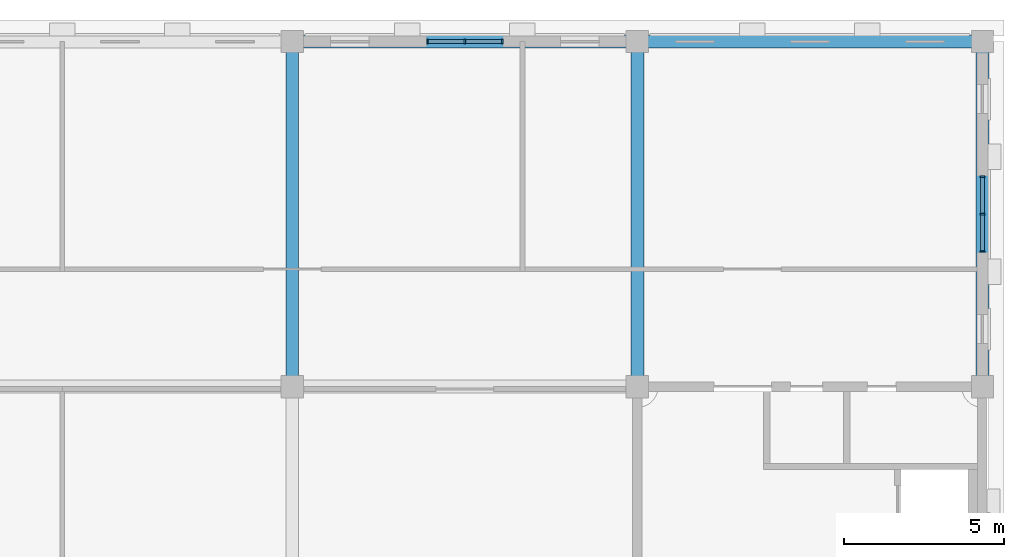
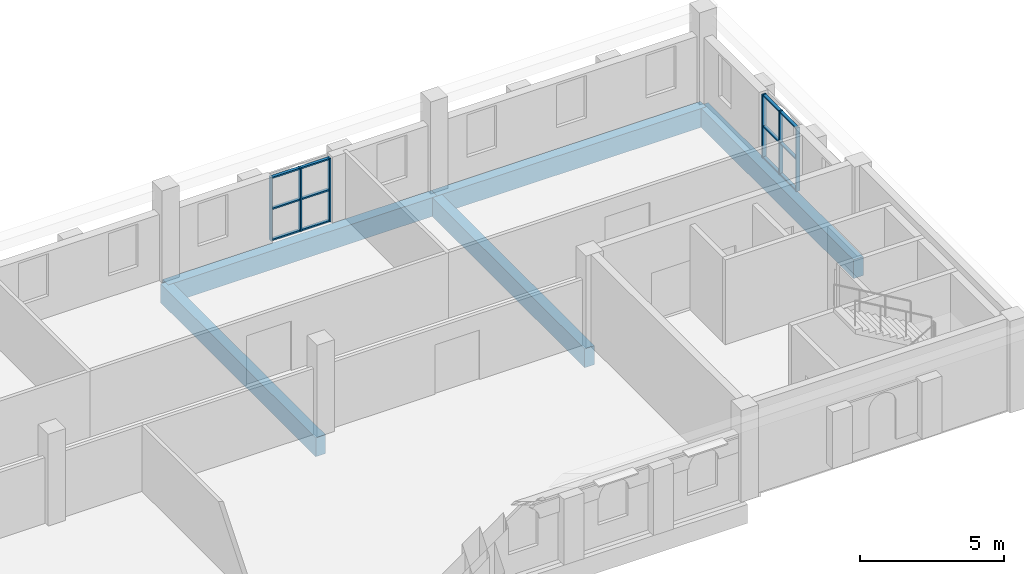
# One storey, part 6 of 17: 18 members, 5 beams, 2 elements without a shape of their own.
"""IFC4 building model written with IfcOpenShell, lengths in metres."""

from ifc_helpers import new_model, si_unit, direction, frame, origin, origin_2d, place, context, subcontext, project, spatial, rectangle, extrude, material, layer, layer_set, material_profile, profile_set, type_object, element, aggregate, save


model = new_model("IFC4")

# Units and contexts
model_context = context("Model", 3, precision=1e-05, world=origin(), true_north=direction((0.0, 1.0)))
body_context = subcontext(model_context, "Body", "Model", "MODEL_VIEW")
ifc_project = project(units=[si_unit("LENGTHUNIT", "METRE"), si_unit("AREAUNIT", "SQUARE_METRE"), si_unit("VOLUMEUNIT", "CUBIC_METRE"), si_unit("PLANEANGLEUNIT", "RADIAN"), si_unit("MASSUNIT", "GRAM", prefix="KILO")], contexts=[model_context])

# Site, building, storey
site_placement = place(None, origin())
site = spatial("IfcSite", under=ifc_project, at=site_placement, CompositionType="ELEMENT")
building_placement = place(site_placement, origin())
building = spatial("IfcBuilding", under=site, at=building_placement, Name="Magnolia Steps Interchange", CompositionType="ELEMENT")
storey_placement = place(building_placement, frame((0.0, 0.0, 20.39990234375)))
storey = spatial("IfcBuildingStorey", under=building, at=storey_placement, Name="L05", CompositionType="ELEMENT", Elevation=20.39990234375)

# Curtain wall, members
ifc_material_1 = material(Name="Powder-coated aluminium and glass", Category="aluminium")
ifc_layer = layer(ifc_material_1, 0.199951171875)
ifc_layer_set = layer_set([ifc_layer], Name="Glazed central bay curtain wall")
curtain_wall_type = type_object("IfcCurtainWallType", Name="Glazed central bay curtain wall", PredefinedType="NOTDEFINED", material=ifc_layer_set)
curtain_wall_1_placement = place(storey_placement, origin())
curtain_wall_1 = element("IfcCurtainWall", 1, at=curtain_wall_1_placement, inside=storey, type_object=curtain_wall_type, Name="Operations building north wall L05 glazing 4", PredefinedType="NOTDEFINED")
ifc_material_2 = material(Name="White powder-coated aluminium", Category="aluminium")
ifc_material_profile_1 = material_profile(ifc_material_2, rectangle(XDim=0.06005859375, YDim=0.14990234375, at=origin_2d()), Name="Aluminium mullion 60 x 150")
ifc_profile_set_1 = profile_set([ifc_material_profile_1], Name="White powder-coated aluminium")
member_type_1 = type_object("IfcMemberType", Name="Aluminium mullion 60 x 150", PredefinedType="MULLION", material=ifc_profile_set_1)
member_1_placement = place(storey_placement, frame((100.6298828125, 118.0, 0.0), z_axis=(0.0, 0.0, 1.0), x_axis=(1.0, 0.0, 0.0)))
member_1 = element("IfcMember", 2, at=member_1_placement, type_object=member_type_1, Name="CW2 mullion 1", PredefinedType="MULLION", context=body_context, shape_type="SweptSolid", body=[
    extrude(rectangle(XDim=0.06005859375, YDim=0.14990234375, at=origin_2d()), origin(), (0.0, 0.0, 1.0), 2.7001953125),
])
member_2_placement = place(storey_placement, frame((101.800048828125, 118.0, 0.0), z_axis=(0.0, 0.0, 1.0), x_axis=(1.0, 0.0, 0.0)))
member_2 = element("IfcMember", 3, at=member_2_placement, type_object=member_type_1, Name="CW2 mullion 2", PredefinedType="MULLION", context=body_context, shape_type="SweptSolid", body=[
    extrude(rectangle(XDim=0.06005859375, YDim=0.14990234375, at=origin_2d()), origin(), (0.0, 0.0, 1.0), 2.7001953125),
])
member_3_placement = place(storey_placement, frame((102.969970703125, 118.0, 0.0), z_axis=(0.0, 0.0, 1.0), x_axis=(1.0, 0.0, 0.0)))
member_3 = element("IfcMember", 4, at=member_3_placement, type_object=member_type_1, Name="CW2 mullion 3", PredefinedType="MULLION", context=body_context, shape_type="SweptSolid", body=[
    extrude(rectangle(XDim=0.06005859375, YDim=0.14990234375, at=origin_2d()), origin(), (0.0, 0.0, 1.0), 2.7001953125),
])

curtain_wall_2_placement = place(storey_placement, origin())
curtain_wall_2 = element("IfcCurtainWall", 5, at=curtain_wall_2_placement, inside=storey, type_object=curtain_wall_type, Name="Operations building east wall L05 glazing 2", PredefinedType="NOTDEFINED")
member_4_placement = place(storey_placement, frame((118.0, 111.429931640625, 0.0), z_axis=(0.0, 0.0, 1.0), x_axis=(0.0, 1.0, 0.0)))
member_4 = element("IfcMember", 6, at=member_4_placement, type_object=member_type_1, Name="CW2 mullion 1", PredefinedType="MULLION", context=body_context, shape_type="SweptSolid", body=[
    extrude(rectangle(XDim=0.06005859375, YDim=0.14990234375, at=origin_2d()), origin(), (0.0, 0.0, 1.0), 2.7001953125),
])
member_5_placement = place(storey_placement, frame((118.0, 112.60009765625, 0.0), z_axis=(0.0, 0.0, 1.0), x_axis=(0.0, 1.0, 0.0)))
member_5 = element("IfcMember", 7, at=member_5_placement, type_object=member_type_1, Name="CW2 mullion 2", PredefinedType="MULLION", context=body_context, shape_type="SweptSolid", body=[
    extrude(rectangle(XDim=0.06005859375, YDim=0.14990234375, at=origin_2d()), origin(), (0.0, 0.0, 1.0), 2.7001953125),
])
member_6_placement = place(storey_placement, frame((118.0, 113.77001953125, 0.0), z_axis=(0.0, 0.0, 1.0), x_axis=(0.0, 1.0, 0.0)))
member_6 = element("IfcMember", 8, at=member_6_placement, type_object=member_type_1, Name="CW2 mullion 3", PredefinedType="MULLION", context=body_context, shape_type="SweptSolid", body=[
    extrude(rectangle(XDim=0.06005859375, YDim=0.14990234375, at=origin_2d()), origin(), (0.0, 0.0, 1.0), 2.7001953125),
])

# Member
ifc_material_3 = material(Name="White powder-coated aluminium", Category="aluminium")
ifc_material_profile_2 = material_profile(ifc_material_3, rectangle(XDim=0.06005859375, YDim=0.1201171875, at=origin_2d()), Name="Aluminium transom 60 x 120")
ifc_profile_set_2 = profile_set([ifc_material_profile_2], Name="White powder-coated aluminium")
member_type_2 = type_object("IfcMemberType", Name="Aluminium transom 60 x 120", PredefinedType="USERDEFINED", material=ifc_profile_set_2)
member_7_placement = place(storey_placement, frame((100.659912109375, 118.0, 0.030029296875), z_axis=(1.0, 0.0, 0.0), x_axis=(0.0, 0.0, 1.0)))
member_7 = element("IfcMember", 9, at=member_7_placement, type_object=member_type_2, Name="CW2 transom 1.1", ObjectType="TRANSOM", PredefinedType="USERDEFINED", context=body_context, shape_type="SweptSolid", body=[
    extrude(rectangle(XDim=0.06005859375, YDim=0.1201171875, at=origin_2d()), origin(), (0.0, 0.0, 1.0), 1.110107421875),
])

member_8_placement = place(storey_placement, frame((100.659912109375, 118.0, 1.35009765625), z_axis=(1.0, 0.0, 0.0), x_axis=(0.0, 0.0, 1.0)))
member_8 = element("IfcMember", 10, at=member_8_placement, type_object=member_type_2, Name="CW2 transom 1.2", ObjectType="TRANSOM", PredefinedType="USERDEFINED", context=body_context, shape_type="SweptSolid", body=[
    extrude(rectangle(XDim=0.06005859375, YDim=0.1201171875, at=origin_2d()), origin(), (0.0, 0.0, 1.0), 1.110107421875),
])

member_9_placement = place(storey_placement, frame((100.659912109375, 118.0, 2.670166015625), z_axis=(1.0, 0.0, 0.0), x_axis=(0.0, 0.0, 1.0)))
member_9 = element("IfcMember", 11, at=member_9_placement, type_object=member_type_2, Name="CW2 transom 1.3", ObjectType="TRANSOM", PredefinedType="USERDEFINED", context=body_context, shape_type="SweptSolid", body=[
    extrude(rectangle(XDim=0.06005859375, YDim=0.1201171875, at=origin_2d()), origin(), (0.0, 0.0, 1.0), 1.110107421875),
])

member_10_placement = place(storey_placement, frame((101.830078125, 118.0, 0.030029296875), z_axis=(1.0, 0.0, 0.0), x_axis=(0.0, 0.0, 1.0)))
member_10 = element("IfcMember", 12, at=member_10_placement, type_object=member_type_2, Name="CW2 transom 2.1", ObjectType="TRANSOM", PredefinedType="USERDEFINED", context=body_context, shape_type="SweptSolid", body=[
    extrude(rectangle(XDim=0.06005859375, YDim=0.1201171875, at=origin_2d()), origin(), (0.0, 0.0, 1.0), 1.10986328125),
])

member_11_placement = place(storey_placement, frame((101.830078125, 118.0, 1.35009765625), z_axis=(1.0, 0.0, 0.0), x_axis=(0.0, 0.0, 1.0)))
member_11 = element("IfcMember", 13, at=member_11_placement, type_object=member_type_2, Name="CW2 transom 2.2", ObjectType="TRANSOM", PredefinedType="USERDEFINED", context=body_context, shape_type="SweptSolid", body=[
    extrude(rectangle(XDim=0.06005859375, YDim=0.1201171875, at=origin_2d()), origin(), (0.0, 0.0, 1.0), 1.10986328125),
])

member_12_placement = place(storey_placement, frame((101.830078125, 118.0, 2.670166015625), z_axis=(1.0, 0.0, 0.0), x_axis=(0.0, 0.0, 1.0)))
member_12 = element("IfcMember", 14, at=member_12_placement, type_object=member_type_2, Name="CW2 transom 2.3", ObjectType="TRANSOM", PredefinedType="USERDEFINED", context=body_context, shape_type="SweptSolid", body=[
    extrude(rectangle(XDim=0.06005859375, YDim=0.1201171875, at=origin_2d()), origin(), (0.0, 0.0, 1.0), 1.10986328125),
])

aggregate(curtain_wall_1, [member_1, member_2, member_3, member_7, member_8, member_9, member_10, member_11, member_12])

member_13_placement = place(storey_placement, frame((118.0, 111.4599609375, 0.030029296875), z_axis=(0.0, 1.0, 0.0), x_axis=(0.0, 0.0, 1.0)))
member_13 = element("IfcMember", 15, at=member_13_placement, type_object=member_type_2, Name="CW2 transom 1.1", ObjectType="TRANSOM", PredefinedType="USERDEFINED", context=body_context, shape_type="SweptSolid", body=[
    extrude(rectangle(XDim=0.06005859375, YDim=0.1201171875, at=origin_2d()), origin(), (0.0, 0.0, 1.0), 1.110107421875),
])

member_14_placement = place(storey_placement, frame((118.0, 111.4599609375, 1.35009765625), z_axis=(0.0, 1.0, 0.0), x_axis=(0.0, 0.0, 1.0)))
member_14 = element("IfcMember", 16, at=member_14_placement, type_object=member_type_2, Name="CW2 transom 1.2", ObjectType="TRANSOM", PredefinedType="USERDEFINED", context=body_context, shape_type="SweptSolid", body=[
    extrude(rectangle(XDim=0.06005859375, YDim=0.1201171875, at=origin_2d()), origin(), (0.0, 0.0, 1.0), 1.110107421875),
])

member_15_placement = place(storey_placement, frame((118.0, 111.4599609375, 2.670166015625), z_axis=(0.0, 1.0, 0.0), x_axis=(0.0, 0.0, 1.0)))
member_15 = element("IfcMember", 17, at=member_15_placement, type_object=member_type_2, Name="CW2 transom 1.3", ObjectType="TRANSOM", PredefinedType="USERDEFINED", context=body_context, shape_type="SweptSolid", body=[
    extrude(rectangle(XDim=0.06005859375, YDim=0.1201171875, at=origin_2d()), origin(), (0.0, 0.0, 1.0), 1.110107421875),
])

member_16_placement = place(storey_placement, frame((118.0, 112.6298828125, 0.030029296875), z_axis=(0.0, 1.0, 0.0), x_axis=(0.0, 0.0, 1.0)))
member_16 = element("IfcMember", 18, at=member_16_placement, type_object=member_type_2, Name="CW2 transom 2.1", ObjectType="TRANSOM", PredefinedType="USERDEFINED", context=body_context, shape_type="SweptSolid", body=[
    extrude(rectangle(XDim=0.06005859375, YDim=0.1201171875, at=origin_2d()), origin(), (0.0, 0.0, 1.0), 1.110107421875),
])

member_17_placement = place(storey_placement, frame((118.0, 112.6298828125, 1.35009765625), z_axis=(0.0, 1.0, 0.0), x_axis=(0.0, 0.0, 1.0)))
member_17 = element("IfcMember", 19, at=member_17_placement, type_object=member_type_2, Name="CW2 transom 2.2", ObjectType="TRANSOM", PredefinedType="USERDEFINED", context=body_context, shape_type="SweptSolid", body=[
    extrude(rectangle(XDim=0.06005859375, YDim=0.1201171875, at=origin_2d()), origin(), (0.0, 0.0, 1.0), 1.110107421875),
])

member_18_placement = place(storey_placement, frame((118.0, 112.6298828125, 2.670166015625), z_axis=(0.0, 1.0, 0.0), x_axis=(0.0, 0.0, 1.0)))
member_18 = element("IfcMember", 20, at=member_18_placement, type_object=member_type_2, Name="CW2 transom 2.3", ObjectType="TRANSOM", PredefinedType="USERDEFINED", context=body_context, shape_type="SweptSolid", body=[
    extrude(rectangle(XDim=0.06005859375, YDim=0.1201171875, at=origin_2d()), origin(), (0.0, 0.0, 1.0), 1.110107421875),
])

aggregate(curtain_wall_2, [member_4, member_5, member_6, member_13, member_14, member_15, member_16, member_17, member_18])

# Beams
ifc_material_4 = material(Name="Concrete C40", Category="concrete")
ifc_material_profile_3 = material_profile(ifc_material_4, rectangle(XDim=0.39990234375, YDim=0.800048828125, at=origin_2d()), Name="RC400x800")
ifc_profile_set_3 = profile_set([ifc_material_profile_3], Name="Concrete C40")
beam_type = type_object("IfcBeamType", Name="RC beam 400x800", PredefinedType="BEAM", material=ifc_profile_set_3)
for number, where, z_axis, x_axis, name in (
    (21, (107.199951171875, 118.0, -0.699951171875), (1.0, 0.0, 0.0), (0.0, 1.0, 0.0), "Beam L05 K 10-11"),
    (22, (96.39990234375, 118.0, -0.699951171875), (1.0, 0.0, 0.0), (0.0, 1.0, 0.0), "Beam L05 K 9-10"),
    (23, (107.199951171875, 107.199951171875, -0.699951171875), (0.0, 1.0, 0.0), (-1.0, 0.0, 0.0), "Beam L05 10 J-K"),
    (24, (118.0, 107.199951171875, -0.699951171875), (0.0, 1.0, 0.0), (-1.0, 0.0, 0.0), "Beam L05 11 J-K"),
    (25, (96.39990234375, 107.199951171875, -0.699951171875), (0.0, 1.0, 0.0), (-1.0, 0.0, 0.0), "Beam L05 9 J-K"),
):
    element("IfcBeam", number, at=place(storey_placement, frame(where, z_axis=z_axis, x_axis=x_axis)), inside=storey, type_object=beam_type, Name=name, PredefinedType="BEAM", context=body_context, shape_type="SweptSolid", body=[
        extrude(rectangle(XDim=0.39990234375, YDim=0.800048828125, at=origin_2d()), origin(), (0.0, 0.0, 1.0), 10.800048828125),
    ])

save(model, "model.ifc")
